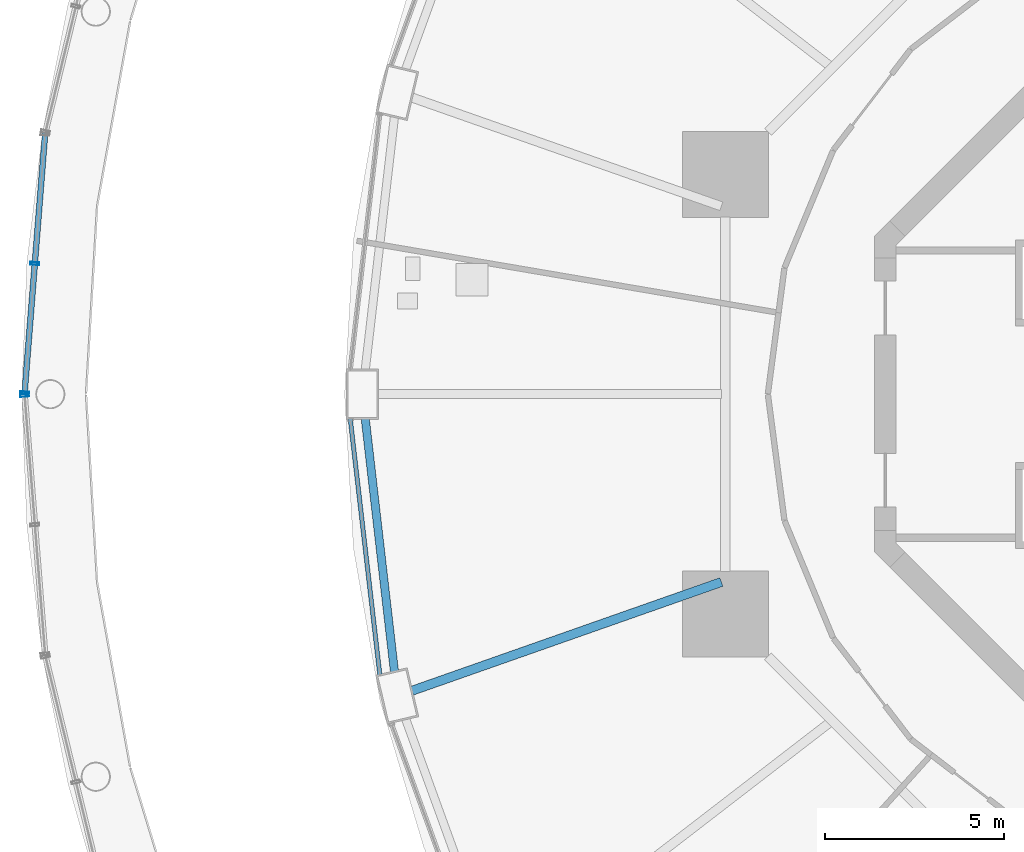
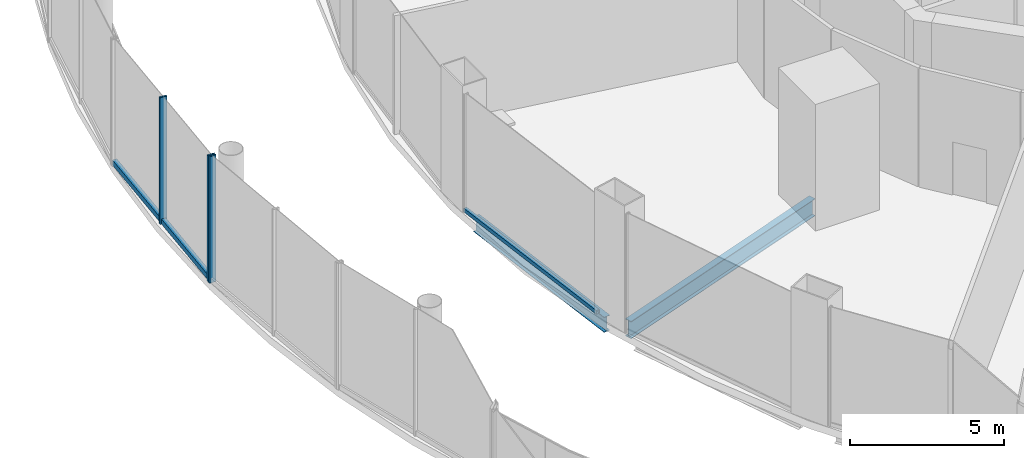
# One storey, part 17 of 47: 5 members, 2 beams, 3 elements without a shape of their own.
"""IFC4 building model written with IfcOpenShell, lengths in metres."""

from ifc_helpers import new_model, si_unit, direction, frame, origin, origin_2d, place, context, subcontext, project, spatial, hollow_rectangle, i_section, extrude, material, layer, layer_set, material_profile, profile_set, type_object, element, aggregate, save


model = new_model("IFC4")

# Units and contexts
model_context = context("Model", 3, precision=1e-05, world=origin(), true_north=direction((0.0, 1.0)))
body_context = subcontext(model_context, "Body", "Model", "MODEL_VIEW")
ifc_project = project(units=[si_unit("LENGTHUNIT", "METRE"), si_unit("AREAUNIT", "SQUARE_METRE"), si_unit("VOLUMEUNIT", "CUBIC_METRE"), si_unit("PLANEANGLEUNIT", "RADIAN"), si_unit("MASSUNIT", "GRAM", prefix="KILO")], contexts=[model_context])

# Site, building, storey
site_placement = place(None, origin())
site = spatial("IfcSite", under=ifc_project, at=site_placement, CompositionType="ELEMENT")
building_placement = place(site_placement, origin())
building = spatial("IfcBuilding", under=site, at=building_placement, Name="Nagisa Residences", CompositionType="ELEMENT")
storey_placement = place(building_placement, frame((0.0, 0.0, 7.0)))
storey = spatial("IfcBuildingStorey", under=building, at=storey_placement, Name="L01", CompositionType="ELEMENT", Elevation=7.0)

# Curtain wall, members
ifc_material_1 = material(Name="Stainless steel curtain wall system", Category="steel")
ifc_layer_1 = layer(ifc_material_1, 0.159912109375)
ifc_layer_set_1 = layer_set([ifc_layer_1], Name="CW3 CURTAIN WALL")
curtain_wall_type_1 = type_object("IfcCurtainWallType", Name="CW3 CURTAIN WALL", PredefinedType="NOTDEFINED", material=ifc_layer_set_1)
curtain_wall_1_placement = place(storey_placement, origin())
curtain_wall_1 = element("IfcCurtainWall", 1, at=curtain_wall_1_placement, inside=storey, type_object=curtain_wall_type_1, Name="cw:CW3:L01:17", PredefinedType="NOTDEFINED")
ifc_material_2 = material(Name="Stainless steel", Category="steel")
ifc_material_profile_1 = material_profile(ifc_material_2, hollow_rectangle(XDim=0.25, YDim=0.080078125, WallThickness=0.008056640625, at=origin_2d()), Name="CW3 MULLION 250x80")
ifc_profile_set_1 = profile_set([ifc_material_profile_1], Name="Stainless steel")
member_type_1 = type_object("IfcMemberType", Name="CW3 MULLION 250x80", PredefinedType="MULLION", material=ifc_profile_set_1)
member_1_placement = place(storey_placement, frame((-34.031494140625, 3.640380859375, 0.0), z_axis=(0.0, 0.0, 1.0), x_axis=(0.996881777235, -0.078909582539, 0.0)))
member_1 = element("IfcMember", 2, at=member_1_placement, type_object=member_type_1, Name="CW3 mullion", PredefinedType="MULLION", context=body_context, shape_type="SweptSolid", body=[
    extrude(hollow_rectangle(XDim=0.25, YDim=0.080078125, WallThickness=0.008056640625, at=origin_2d()), origin(), (0.0, 0.0, 1.0), 5.0),
])
member_2_placement = place(storey_placement, frame((-34.317138671875, 0.033447265625, 0.0), z_axis=(0.0, 0.0, 1.0), x_axis=(0.996881777235, -0.078909582539, 0.0)))
member_2 = element("IfcMember", 3, at=member_2_placement, type_object=member_type_1, Name="CW3 mullion", PredefinedType="MULLION", context=body_context, shape_type="SweptSolid", body=[
    extrude(hollow_rectangle(XDim=0.25, YDim=0.080078125, WallThickness=0.008056640625, at=origin_2d()), origin(), (0.0, 0.0, 1.0), 5.0),
])

# Curtain wall, member
curtain_wall_2_placement = place(storey_placement, origin())
curtain_wall_2 = element("IfcCurtainWall", 4, at=curtain_wall_2_placement, inside=storey, type_object=curtain_wall_type_1, Name="cw:CW3:L01:18", PredefinedType="NOTDEFINED")
member_3_placement = place(storey_placement, frame((-34.317138671875, -0.033447265625, 0.0), z_axis=(0.0, 0.0, 1.0), x_axis=(0.996881777235, 0.078909582539, 0.0)))
member_3 = element("IfcMember", 5, at=member_3_placement, type_object=member_type_1, Name="CW3 mullion", PredefinedType="MULLION", context=body_context, shape_type="SweptSolid", body=[
    extrude(hollow_rectangle(XDim=0.25, YDim=0.080078125, WallThickness=0.008056640625, at=origin_2d()), origin(), (0.0, 0.0, 1.0), 5.0),
])
aggregate(curtain_wall_2, [member_3])

# Member
ifc_material_3 = material(Name="Stainless steel", Category="steel")
ifc_material_profile_2 = material_profile(ifc_material_3, hollow_rectangle(XDim=0.159912109375, YDim=0.199951171875, WallThickness=0.008056640625, at=origin_2d()), Name="CW3 TRANSOM 160x200")
ifc_profile_set_2 = profile_set([ifc_material_profile_2], Name="Stainless steel")
member_type_2 = type_object("IfcMemberType", Name="CW3 TRANSOM 160x200", PredefinedType="USERDEFINED", material=ifc_profile_set_2)
member_4_placement = place(storey_placement, frame((-33.742919921875, 7.286865234375, 0.10009765625), z_axis=(-0.078921540002, -0.996880830653, 0.0), x_axis=(0.996880830653, -0.078921540002, 0.0)))
member_4 = element("IfcMember", 6, at=member_4_placement, type_object=member_type_2, Name="CW3 transom", ObjectType="TRANSOM", PredefinedType="USERDEFINED", context=body_context, shape_type="SweptSolid", body=[
    extrude(hollow_rectangle(XDim=0.159912109375, YDim=0.199951171875, WallThickness=0.008056640625, at=origin_2d()), origin(), (0.0, 0.0, 1.0), 7.31591796875),
])

aggregate(curtain_wall_1, [member_1, member_2, member_4])

# Curtain wall, member
ifc_material_4 = material(Name="Stainless steel curtain wall system", Category="steel")
ifc_layer_2 = layer(ifc_material_4, 0.159912109375)
ifc_layer_set_2 = layer_set([ifc_layer_2], Name="CW6 CURTAIN WALL")
curtain_wall_type_2 = type_object("IfcCurtainWallType", Name="CW6 CURTAIN WALL", PredefinedType="NOTDEFINED", material=ifc_layer_set_2)
curtain_wall_3_placement = place(storey_placement, origin())
curtain_wall_3 = element("IfcCurtainWall", 7, at=curtain_wall_3_placement, inside=storey, type_object=curtain_wall_type_2, Name="cw:CW6:L01:24", PredefinedType="NOTDEFINED")
ifc_material_5 = material(Name="Stainless steel", Category="steel")
ifc_material_profile_3 = material_profile(ifc_material_5, hollow_rectangle(XDim=0.1201171875, YDim=0.14990234375, WallThickness=0.008056640625, at=origin_2d()), Name="CW6 TRANSOM 120x150")
ifc_profile_set_3 = profile_set([ifc_material_profile_3], Name="Stainless steel")
member_type_3 = type_object("IfcMemberType", Name="CW6 TRANSOM 120x150", PredefinedType="USERDEFINED", material=ifc_profile_set_3)
member_5_placement = place(storey_placement, frame((-25.239990234375, -0.686279296875, 0.074951171875), z_axis=(0.114916347997, -0.993375172311, 0.0), x_axis=(0.993375172311, 0.114916347997, 0.0)))
member_5 = element("IfcMember", 8, at=member_5_placement, type_object=member_type_3, Name="CW6 transom", ObjectType="TRANSOM", PredefinedType="USERDEFINED", context=body_context, shape_type="SweptSolid", body=[
    extrude(hollow_rectangle(XDim=0.1201171875, YDim=0.14990234375, WallThickness=0.008056640625, at=origin_2d()), origin(), (0.0, 0.0, 1.0), 7.19775390625),
])
aggregate(curtain_wall_3, [member_5])

# Beams
ifc_material_6 = material(Name="Steel ASTM A572 Gr 50", Category="steel")
ifc_material_profile_4 = material_profile(ifc_material_6, i_section(OverallWidth=0.22802734375, OverallDepth=0.60302734375, WebThickness=0.010498046875, FlangeThickness=0.014892578125, at=origin_2d()), Name="W610x101")
ifc_profile_set_4 = profile_set([ifc_material_profile_4], Name="Steel ASTM A572 Gr 50")
beam_type_1 = type_object("IfcBeamType", Name="Perimeter ring beam W610x101", PredefinedType="BEAM", material=ifc_profile_set_4)
beam_1_placement = place(storey_placement, frame((-24.821533203125, -0.68017578125, -0.6015625), z_axis=(0.114707660057, -0.993399291687, 0.0), x_axis=(0.993399291687, 0.114707660057, 0.0)))
element("IfcBeam", 9, at=beam_1_placement, inside=storey, type_object=beam_type_1, Name="beam:L01:pb13", PredefinedType="BEAM", context=body_context, shape_type="SweptSolid", body=[
    extrude(i_section(OverallWidth=0.22802734375, OverallDepth=0.60302734375, WebThickness=0.010498046875, FlangeThickness=0.014892578125, at=origin_2d()), origin(), (0.0, 0.0, 1.0), 7.09814453125),
])
ifc_material_7 = material(Name="Steel ASTM A572 Gr 50", Category="steel")
ifc_material_profile_5 = material_profile(ifc_material_7, i_section(OverallWidth=0.25390625, OverallDepth=0.68408203125, WebThickness=0.012451171875, FlangeThickness=0.018798828125, at=origin_2d()), Name="W690x140")
ifc_profile_set_5 = profile_set([ifc_material_profile_5], Name="Steel ASTM A572 Gr 50")
beam_type_2 = type_object("IfcBeamType", Name="Radial beam W690x140", PredefinedType="BEAM", material=ifc_profile_set_5)
beam_2_placement = place(storey_placement, frame((-23.520751953125, -8.26806640625, -0.64208984375), z_axis=(0.943414535235, 0.331615763659, 0.0), x_axis=(-0.331615763659, 0.943414535235, 0.0)))
element("IfcBeam", 10, at=beam_2_placement, inside=storey, type_object=beam_type_2, Name="beam:L01:rb14", PredefinedType="BEAM", context=body_context, shape_type="SweptSolid", body=[
    extrude(i_section(OverallWidth=0.25390625, OverallDepth=0.68408203125, WebThickness=0.012451171875, FlangeThickness=0.018798828125, at=origin_2d()), origin(), (0.0, 0.0, 1.0), 9.142333984375),
])

save(model, "model.ifc")
